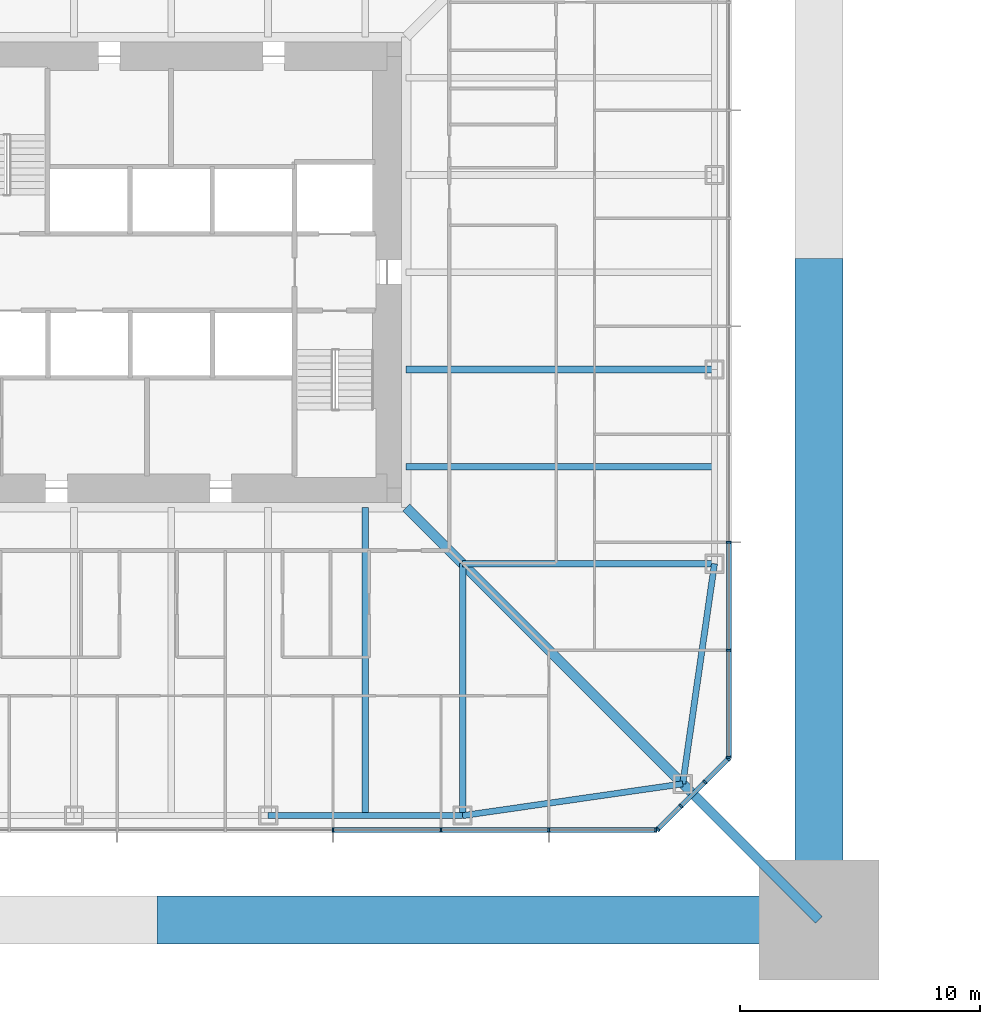
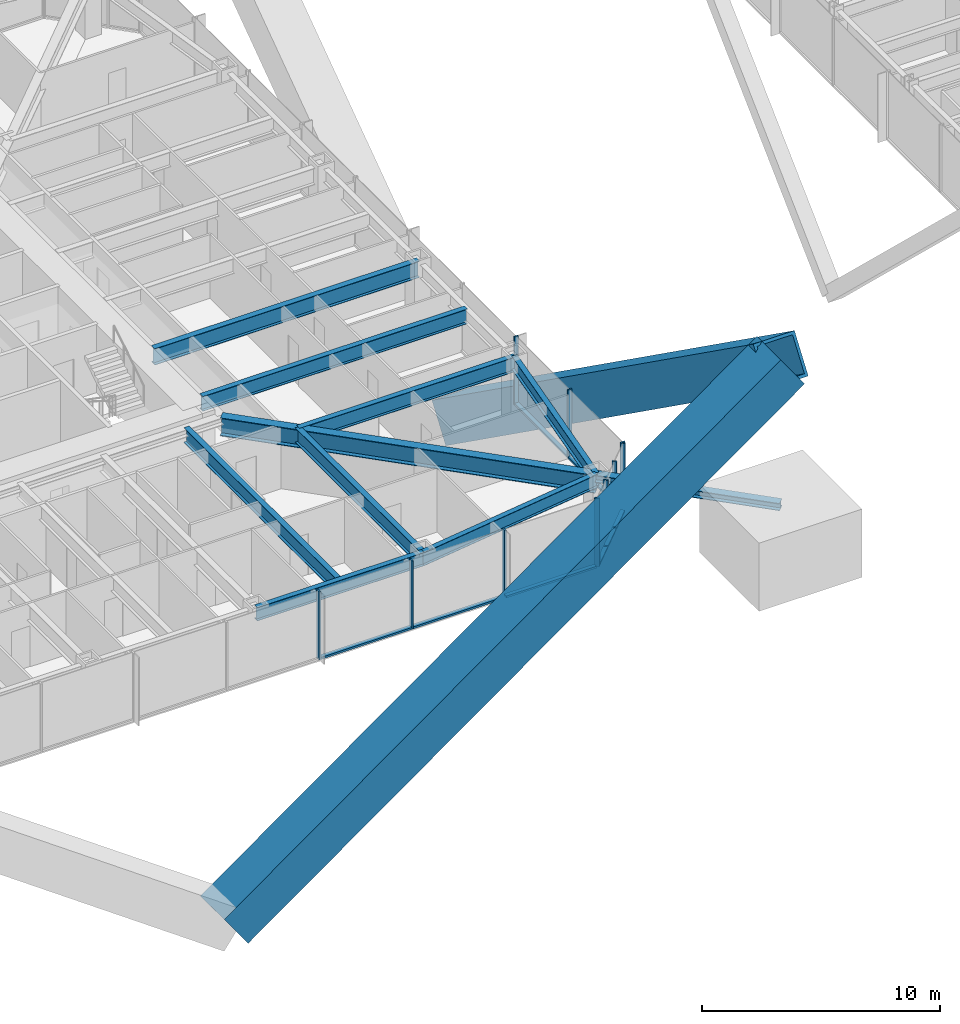
# One storey, part 5 of 28: 22 members, 9 beams, 3 elements without a shape of their own.
"""IFC4 building model written with IfcOpenShell, lengths in metres."""

import ifcopenshell
import ifcopenshell.guid

model = None  # the IFC model being written
_history = None  # IfcOwnerHistory: only IFC2X3 demands one
_inside = {}  # id of a spatial element -> (the spatial element, [elements in it])
_under = {}  # id of a project, library or spatial element -> (it, [spatial elements below it])
_declared = {}  # id of a project -> (the project, [libraries it declares])
_typed = {}  # id of a type object -> (the type object, [elements of that type])
_made_of = {}  # id of a material, layer set ... -> (it, [elements and type objects made of it])


def new_model(schema):
    """Start an empty IFC model of exactly this schema.

    Asked for "IFC4X3", IfcOpenShell would pick the latest addendum, in which some entities
    have other attributes; the version numbers below select the first issue.
    IFC2X3 requires an IfcOwnerHistory on every rooted entity: one is made here for all.
    """
    global model, _history
    if schema == "IFC4X3":
        model = ifcopenshell.file(schema_version=(4, 3, 0, 0))
    else:
        model = ifcopenshell.file(schema=schema)
    _inside.clear()
    _under.clear()
    _declared.clear()
    _typed.clear()
    _made_of.clear()
    _history = None
    if model.schema == "IFC2X3":
        org = make("IfcOrganization", Name="unknown")
        user = make(
            "IfcPersonAndOrganization",
            ThePerson=make("IfcPerson", FamilyName="unknown"),
            TheOrganization=org,
        )
        app = make(
            "IfcApplication",
            ApplicationDeveloper=org,
            Version="unknown",
            ApplicationFullName="unknown",
            ApplicationIdentifier="unknown",
        )
        _history = make(
            "IfcOwnerHistory",
            OwningUser=user,
            OwningApplication=app,
            ChangeAction="ADDED",
            CreationDate=0,
        )
    return model


def make(cls, **values):
    """One entity of the class cls with the attributes given. An attribute that is None is left unset."""
    return model.create_entity(
        cls, **{name: value for name, value in values.items() if value is not None}
    )


def rooted(cls, **values):
    """An entity with a GlobalId (a new one), such as an element, a storey or a relation."""
    return make(cls, GlobalId=ifcopenshell.guid.new(), OwnerHistory=_history, **values)


def si_unit(unit_type, name, prefix=None):
    """IfcSIUnit, for example si_unit("LENGTHUNIT", "METRE", prefix="MILLI")."""
    return make("IfcSIUnit", UnitType=unit_type, Prefix=prefix, Name=name)


def assignment(units):
    """IfcUnitAssignment: the units of a project."""
    return None if units is None else make("IfcUnitAssignment", Units=units)


def point(xyz):
    """IfcCartesianPoint."""
    return None if xyz is None else make("IfcCartesianPoint", Coordinates=xyz)


def direction(xyz):
    """IfcDirection."""
    return None if xyz is None else make("IfcDirection", DirectionRatios=xyz)


def frame(location, z_axis=None, x_axis=None):
    """IfcAxis2Placement3D, a coordinate frame: its origin and axes. An axis left out is left unset."""
    return make(
        "IfcAxis2Placement3D",
        Location=point(location),
        Axis=direction(z_axis),
        RefDirection=direction(x_axis),
    )


def frame_2d(location, x_axis=None):
    """IfcAxis2Placement2D, a coordinate frame in the plane: its origin and x axis."""
    return make(
        "IfcAxis2Placement2D", Location=point(location), RefDirection=direction(x_axis)
    )


def origin():
    """The frame at (0, 0, 0) with its axes left unset."""
    return frame((0.0, 0.0, 0.0))


def origin_2d():
    """The frame at (0, 0) in the plane with its x axis left unset."""
    return frame_2d((0.0, 0.0))


def place(relative_to, where):
    """IfcLocalPlacement: puts the frame where relative to a parent placement (None: the world)."""
    return make(
        "IfcLocalPlacement", PlacementRelTo=relative_to, RelativePlacement=where
    )


def context(
    kind, dimensions, precision=None, world=None, true_north=None, identifier=None
):
    """IfcGeometricRepresentationContext, for example the 3D "Model" context."""
    return make(
        "IfcGeometricRepresentationContext",
        ContextIdentifier=identifier,
        ContextType=kind,
        CoordinateSpaceDimension=dimensions,
        Precision=precision,
        WorldCoordinateSystem=world,
        TrueNorth=true_north,
    )


def subcontext(parent, identifier, kind, view, scale=None):
    """IfcGeometricRepresentationSubContext, for example "Body" below "Model"."""
    return make(
        "IfcGeometricRepresentationSubContext",
        ContextIdentifier=identifier,
        ContextType=kind,
        ParentContext=parent,
        TargetScale=scale,
        TargetView=view,
    )


def project(units=None, contexts=None):
    """IfcProject with its units and contexts."""
    return rooted(
        "IfcProject",
        Name="project",
        RepresentationContexts=contexts,
        UnitsInContext=assignment(units),
    )


def spatial(cls, under=None, at=None, **own):
    """A site, building, storey or space (cls), placed at a placement, below another one or the project."""
    s = rooted(cls, ObjectPlacement=at, **own)
    if under is not None:
        _under.setdefault(under.id(), (under, []))[1].append(s)
    return s


def profile(cls, at=None, kind="AREA", **sizes):
    """A parametric profile (cls). Its sizes go by their IFC names, for example OverallWidth=200.0."""
    return make(cls, ProfileType=kind, Position=at, **sizes)


def rectangle(**sizes):
    """IfcRectangleProfileDef."""
    return profile("IfcRectangleProfileDef", **sizes)


def hollow_rectangle(**sizes):
    """IfcRectangleHollowProfileDef."""
    return profile("IfcRectangleHollowProfileDef", **sizes)


def i_section(**sizes):
    """IfcIShapeProfileDef."""
    return profile("IfcIShapeProfileDef", **sizes)


def extrude(swept, where, along, depth):
    """IfcExtrudedAreaSolid: the profile swept, set in the frame where, extruded along a direction by depth."""
    return make(
        "IfcExtrudedAreaSolid",
        SweptArea=swept,
        Position=where,
        ExtrudedDirection=direction(along),
        Depth=depth,
    )


def shape(context_of_items, identifier, shape_type, items):
    """IfcShapeRepresentation: the items that make up one representation, for example the "Body"."""
    return make(
        "IfcShapeRepresentation",
        ContextOfItems=context_of_items,
        RepresentationIdentifier=identifier,
        RepresentationType=shape_type,
        Items=items,
    )


def material(Name=None, Category=None):
    """IfcMaterial."""
    return make("IfcMaterial", Name=Name, Category=Category)


def material_profile(
    of_material, cross_section, Name=None, Category=None, Priority=None
):
    """IfcMaterialProfile: a cross section and its material."""
    return make(
        "IfcMaterialProfile",
        Name=Name,
        Material=of_material,
        Profile=cross_section,
        Priority=Priority,
        Category=Category,
    )


def profile_set(profiles, Name=None, composite=None):
    """IfcMaterialProfileSet."""
    return make(
        "IfcMaterialProfileSet",
        Name=Name,
        MaterialProfiles=profiles,
        CompositeProfile=composite,
    )


def made_of(thing, what):
    """Note that an element or type object is made of a material, layer set ...; save() writes the relation."""
    if what is not None:
        _made_of.setdefault(what.id(), (what, []))[1].append(thing)
    return thing


def type_object(cls, material=None, **own):
    """A type object (cls), such as IfcWallType, which elements share."""
    return made_of(rooted(cls, **own), material)


def element(
    cls,
    number,
    at=None,
    inside=None,
    cuts=None,
    type_object=None,
    material=None,
    context=None,
    identifier="Body",
    shape_type=None,
    held_by="IfcProductDefinitionShape",
    body=None,
    shapes=None,
    **own,
):
    """One element of the class cls, such as IfcWall. Its Tag is "e" and its number.

    at: its placement. inside: the storey or other place that contains it. cuts: it is an
    opening in that element (IfcRelVoidsElement). A single representation is given by context,
    identifier, shape_type and body (its items); several are given by shapes. held_by: the class
    of the entity that holds the representations. save() writes the other relations.
    """
    e = rooted(cls, Tag="e%d" % number, ObjectPlacement=at, **own)
    if body is not None:
        shapes = [shape(context, identifier, shape_type, body)]
    if shapes is not None:
        e.Representation = make(held_by, Representations=shapes)
    if inside is not None:
        _inside.setdefault(inside.id(), (inside, []))[1].append(e)
    if cuts is not None:
        rooted(
            "IfcRelVoidsElement", RelatingBuildingElement=cuts, RelatedOpeningElement=e
        )
    if type_object is not None:
        _typed.setdefault(type_object.id(), (type_object, []))[1].append(e)
    return made_of(e, material)


def aggregate(whole, parts):
    """IfcRelAggregates: a whole, such as a stair, and the parts it consists of."""
    return rooted("IfcRelAggregates", RelatingObject=whole, RelatedObjects=parts)


def save(model, path):
    """Write the relations noted so far, then the file.

    IfcRelAggregates (storeys below a building ...), IfcRelContainedInSpatialStructure (elements
    in a storey), IfcRelDefinesByType, IfcRelAssociatesMaterial and IfcRelDeclares: one each for
    every whole, place, type object, material and project.
    """
    for whole, parts in _under.values():
        aggregate(whole, parts)
    for where, things in _inside.values():
        rooted(
            "IfcRelContainedInSpatialStructure",
            RelatedElements=things,
            RelatingStructure=where,
        )
    for kind, things in _typed.values():
        rooted("IfcRelDefinesByType", RelatedObjects=things, RelatingType=kind)
    for what, things in _made_of.values():
        rooted("IfcRelAssociatesMaterial", RelatedObjects=things, RelatingMaterial=what)
    for by, libraries in _declared.values():
        rooted("IfcRelDeclares", RelatingContext=by, RelatedDefinitions=libraries)
    model.write(path)


model = new_model("IFC4")

# Units and contexts
model_context = context("Model", 3, precision=1e-05, world=origin(), true_north=direction((0.0, 1.0)))
body_context = subcontext(model_context, "Body", "Model", "MODEL_VIEW")
ifc_project = project(units=[si_unit("LENGTHUNIT", "METRE"), si_unit("AREAUNIT", "SQUARE_METRE"), si_unit("VOLUMEUNIT", "CUBIC_METRE"), si_unit("PLANEANGLEUNIT", "RADIAN"), si_unit("MASSUNIT", "GRAM", prefix="KILO")], contexts=[model_context])

# Site, building, storey
site_placement = place(None, origin())
site = spatial("IfcSite", under=ifc_project, at=site_placement, CompositionType="ELEMENT")
building_placement = place(site_placement, origin())
building = spatial("IfcBuilding", under=site, at=building_placement, Name="Iwan Alto Co-Living Towers", CompositionType="ELEMENT")
storey_placement = place(building_placement, frame((0.0, 0.0, 64.0)))
storey = spatial("IfcBuildingStorey", under=building, at=storey_placement, Name="L17", CompositionType="ELEMENT", Elevation=64.0)

# Curtain wall, members
ifc_material_1 = material(Name="Bronze aluminium unitised frame", Category="aluminium")
curtain_wall_type_1 = type_object("IfcCurtainWallType", Name="CURTAIN WALL CW-A", PredefinedType="NOTDEFINED", material=ifc_material_1)
curtain_wall_1_placement = place(storey_placement, origin())
curtain_wall_1 = element("IfcCurtainWall", 1, at=curtain_wall_1_placement, inside=storey, type_object=curtain_wall_type_1, Name="T1 curtain wall S L17", PredefinedType="NOTDEFINED")
ifc_material_2 = material(Name="Aluminium 6063-T6 bronze anodised", Category="aluminium")
ifc_material_profile_1 = material_profile(ifc_material_2, rectangle(XDim=0.199951171875, YDim=0.080078125, at=origin_2d()), Name="AL 80X200")
ifc_profile_set_1 = profile_set([ifc_material_profile_1], Name="Aluminium 6063-T6 bronze anodised")
member_type_1 = type_object("IfcMemberType", Name="CW-A MULLION 80X200", PredefinedType="MULLION", material=ifc_profile_set_1)
member_1_placement = place(storey_placement, frame((6.75, -23.25, 0.0), z_axis=(0.0, 0.0, 1.0), x_axis=(0.0, 1.0, 0.0)))
member_1 = element("IfcMember", 2, at=member_1_placement, type_object=member_type_1, Name="CW-A mullion 7", PredefinedType="MULLION", context=body_context, shape_type="SweptSolid", body=[
    extrude(rectangle(XDim=0.199951171875, YDim=0.080078125, at=origin_2d()), origin(), (0.0, 0.0, 1.0), 3.5),
])
member_2_placement = place(storey_placement, frame((11.25, -23.25, 0.0), z_axis=(0.0, 0.0, 1.0), x_axis=(0.0, 1.0, 0.0)))
member_2 = element("IfcMember", 3, at=member_2_placement, type_object=member_type_1, Name="CW-A mullion 8", PredefinedType="MULLION", context=body_context, shape_type="SweptSolid", body=[
    extrude(rectangle(XDim=0.199951171875, YDim=0.080078125, at=origin_2d()), origin(), (0.0, 0.0, 1.0), 3.5),
])
member_3_placement = place(storey_placement, frame((15.75, -23.25, 0.0), z_axis=(0.0, 0.0, 1.0), x_axis=(0.0, 1.0, 0.0)))
member_3 = element("IfcMember", 4, at=member_3_placement, type_object=member_type_1, Name="CW-A mullion 9", PredefinedType="MULLION", context=body_context, shape_type="SweptSolid", body=[
    extrude(rectangle(XDim=0.199951171875, YDim=0.080078125, at=origin_2d()), origin(), (0.0, 0.0, 1.0), 3.5),
])
member_4_placement = place(storey_placement, frame((20.2099609375, -23.25, 0.0), z_axis=(0.0, 0.0, 1.0), x_axis=(0.0, 1.0, 0.0)))
member_4 = element("IfcMember", 5, at=member_4_placement, type_object=member_type_1, Name="CW-A mullion 10", PredefinedType="MULLION", context=body_context, shape_type="SweptSolid", body=[
    extrude(rectangle(XDim=0.199951171875, YDim=0.080078125, at=origin_2d()), origin(), (0.0, 0.0, 1.0), 3.5),
])

curtain_wall_2_placement = place(storey_placement, origin())
curtain_wall_2 = element("IfcCurtainWall", 6, at=curtain_wall_2_placement, inside=storey, type_object=curtain_wall_type_1, Name="T1 curtain wall E L17", PredefinedType="NOTDEFINED")
member_5_placement = place(storey_placement, frame((23.25, -20.2099609375, 0.0), z_axis=(0.0, 0.0, 1.0), x_axis=(-1.0, 0.0, 0.0)))
member_5 = element("IfcMember", 7, at=member_5_placement, type_object=member_type_1, Name="CW-A mullion 1", PredefinedType="MULLION", context=body_context, shape_type="SweptSolid", body=[
    extrude(rectangle(XDim=0.199951171875, YDim=0.080078125, at=origin_2d()), origin(), (0.0, 0.0, 1.0), 3.5),
])
member_6_placement = place(storey_placement, frame((23.25, -15.75, 0.0), z_axis=(0.0, 0.0, 1.0), x_axis=(-1.0, 0.0, 0.0)))
member_6 = element("IfcMember", 8, at=member_6_placement, type_object=member_type_1, Name="CW-A mullion 2", PredefinedType="MULLION", context=body_context, shape_type="SweptSolid", body=[
    extrude(rectangle(XDim=0.199951171875, YDim=0.080078125, at=origin_2d()), origin(), (0.0, 0.0, 1.0), 3.5),
])
member_7_placement = place(storey_placement, frame((23.25, -11.25, 0.0), z_axis=(0.0, 0.0, 1.0), x_axis=(-1.0, 0.0, 0.0)))
member_7 = element("IfcMember", 9, at=member_7_placement, type_object=member_type_1, Name="CW-A mullion 3", PredefinedType="MULLION", context=body_context, shape_type="SweptSolid", body=[
    extrude(rectangle(XDim=0.199951171875, YDim=0.080078125, at=origin_2d()), origin(), (0.0, 0.0, 1.0), 3.5),
])

# Member
ifc_material_3 = material(Name="Aluminium 6063-T6 bronze anodised", Category="aluminium")
ifc_material_profile_2 = material_profile(ifc_material_3, rectangle(XDim=0.199951171875, YDim=0.10009765625, at=origin_2d()), Name="AL 200X100")
ifc_profile_set_2 = profile_set([ifc_material_profile_2], Name="Aluminium 6063-T6 bronze anodised")
member_type_2 = type_object("IfcMemberType", Name="CW-A TRANSOM 200X100", PredefinedType="USERDEFINED", material=ifc_profile_set_2)
member_8_placement = place(storey_placement, frame((6.7900390625, -23.25, 0.050048828125), z_axis=(1.0, 0.0, 0.0), x_axis=(0.0, 1.0, 0.0)))
member_8 = element("IfcMember", 10, at=member_8_placement, type_object=member_type_2, Name="CW-A transom 7.1", ObjectType="TRANSOM", PredefinedType="USERDEFINED", context=body_context, shape_type="SweptSolid", body=[
    extrude(rectangle(XDim=0.199951171875, YDim=0.10009765625, at=origin_2d()), origin(), (0.0, 0.0, 1.0), 4.419921875),
])

member_9_placement = place(storey_placement, frame((11.2900390625, -23.25, 0.050048828125), z_axis=(1.0, 0.0, 0.0), x_axis=(0.0, 1.0, 0.0)))
member_9 = element("IfcMember", 11, at=member_9_placement, type_object=member_type_2, Name="CW-A transom 8.1", ObjectType="TRANSOM", PredefinedType="USERDEFINED", context=body_context, shape_type="SweptSolid", body=[
    extrude(rectangle(XDim=0.199951171875, YDim=0.10009765625, at=origin_2d()), origin(), (0.0, 0.0, 1.0), 4.419921875),
])

member_10_placement = place(storey_placement, frame((15.7900390625, -23.25, 0.050048828125), z_axis=(1.0, 0.0, 0.0), x_axis=(0.0, 1.0, 0.0)))
member_10 = element("IfcMember", 12, at=member_10_placement, type_object=member_type_2, Name="CW-A transom 9.1", ObjectType="TRANSOM", PredefinedType="USERDEFINED", context=body_context, shape_type="SweptSolid", body=[
    extrude(rectangle(XDim=0.199951171875, YDim=0.10009765625, at=origin_2d()), origin(), (0.0, 0.0, 1.0), 4.3798828125),
])

aggregate(curtain_wall_1, [member_1, member_2, member_3, member_4, member_8, member_9, member_10])

member_11_placement = place(storey_placement, frame((23.25, -20.169921875, 0.050048828125), z_axis=(0.0, 1.0, 0.0), x_axis=(-1.0, 0.0, 0.0)))
member_11 = element("IfcMember", 13, at=member_11_placement, type_object=member_type_2, Name="CW-A transom 1.1", ObjectType="TRANSOM", PredefinedType="USERDEFINED", context=body_context, shape_type="SweptSolid", body=[
    extrude(rectangle(XDim=0.199951171875, YDim=0.10009765625, at=origin_2d()), origin(), (0.0, 0.0, 1.0), 4.3798828125),
])

member_12_placement = place(storey_placement, frame((23.25, -15.7099609375, 0.050048828125), z_axis=(0.0, 1.0, 0.0), x_axis=(-1.0, 0.0, 0.0)))
member_12 = element("IfcMember", 14, at=member_12_placement, type_object=member_type_2, Name="CW-A transom 2.1", ObjectType="TRANSOM", PredefinedType="USERDEFINED", context=body_context, shape_type="SweptSolid", body=[
    extrude(rectangle(XDim=0.199951171875, YDim=0.10009765625, at=origin_2d()), origin(), (0.0, 0.0, 1.0), 4.419921875),
])

aggregate(curtain_wall_2, [member_5, member_6, member_7, member_11, member_12])

# Curtain wall, members
ifc_material_4 = material(Name="Bronze aluminium unitised frame", Category="aluminium")
curtain_wall_type_2 = type_object("IfcCurtainWallType", Name="CURTAIN WALL CW-B", PredefinedType="NOTDEFINED", material=ifc_material_4)
curtain_wall_3_placement = place(storey_placement, origin())
curtain_wall_3 = element("IfcCurtainWall", 15, at=curtain_wall_3_placement, inside=storey, type_object=curtain_wall_type_2, Name="T1 chamfer curtain wall SE L17", PredefinedType="NOTDEFINED")
ifc_material_5 = material(Name="Aluminium 6063-T6 bronze anodised", Category="aluminium")
ifc_material_profile_3 = material_profile(ifc_material_5, rectangle(XDim=0.199951171875, YDim=0.080078125, at=origin_2d()), Name="AL 80X200")
ifc_profile_set_3 = profile_set([ifc_material_profile_3], Name="Aluminium 6063-T6 bronze anodised")
member_type_3 = type_object("IfcMemberType", Name="CW-B MULLION 80X200", PredefinedType="MULLION", material=ifc_profile_set_3)
member_13_placement = place(storey_placement, frame((20.2783203125, -23.2216796875, 0.0), z_axis=(0.0, 0.0, 1.0), x_axis=(-0.707106781187, 0.707106781187, 0.0)))
member_13 = element("IfcMember", 16, at=member_13_placement, type_object=member_type_3, Name="CW-B mullion 1", PredefinedType="MULLION", context=body_context, shape_type="SweptSolid", body=[
    extrude(rectangle(XDim=0.199951171875, YDim=0.080078125, at=origin_2d()), origin(), (0.0, 0.0, 1.0), 3.5),
])
member_14_placement = place(storey_placement, frame((21.25, -22.25, 0.0), z_axis=(0.0, 0.0, 1.0), x_axis=(-0.707106781187, 0.707106781187, 0.0)))
member_14 = element("IfcMember", 17, at=member_14_placement, type_object=member_type_3, Name="CW-B mullion 2", PredefinedType="MULLION", context=body_context, shape_type="SweptSolid", body=[
    extrude(rectangle(XDim=0.199951171875, YDim=0.080078125, at=origin_2d()), origin(), (0.0, 0.0, 1.0), 3.5),
])
member_15_placement = place(storey_placement, frame((22.25, -21.25, 0.0), z_axis=(0.0, 0.0, 1.0), x_axis=(-0.707106781187, 0.707106781187, 0.0)))
member_15 = element("IfcMember", 18, at=member_15_placement, type_object=member_type_3, Name="CW-B mullion 3", PredefinedType="MULLION", context=body_context, shape_type="SweptSolid", body=[
    extrude(rectangle(XDim=0.199951171875, YDim=0.080078125, at=origin_2d()), origin(), (0.0, 0.0, 1.0), 3.5),
])
member_16_placement = place(storey_placement, frame((23.2216796875, -20.2783203125, 0.0), z_axis=(0.0, 0.0, 1.0), x_axis=(-0.707106781187, 0.707106781187, 0.0)))
member_16 = element("IfcMember", 19, at=member_16_placement, type_object=member_type_3, Name="CW-B mullion 4", PredefinedType="MULLION", context=body_context, shape_type="SweptSolid", body=[
    extrude(rectangle(XDim=0.199951171875, YDim=0.080078125, at=origin_2d()), origin(), (0.0, 0.0, 1.0), 3.5),
])
ifc_material_6 = material(Name="Aluminium 6063-T6 bronze anodised", Category="aluminium")
ifc_material_profile_4 = material_profile(ifc_material_6, rectangle(XDim=0.199951171875, YDim=0.10009765625, at=origin_2d()), Name="AL 200X100")
ifc_profile_set_4 = profile_set([ifc_material_profile_4], Name="Aluminium 6063-T6 bronze anodised")
member_type_4 = type_object("IfcMemberType", Name="CW-B TRANSOM 200X100", PredefinedType="USERDEFINED", material=ifc_profile_set_4)
member_17_placement = place(storey_placement, frame((20.306640625, -23.193359375, 0.050048828125), z_axis=(0.707106781187, 0.707106781187, 0.0), x_axis=(-0.707106781187, 0.707106781187, 0.0)))
member_17 = element("IfcMember", 20, at=member_17_placement, type_object=member_type_4, Name="CW-B transom 1.1", ObjectType="TRANSOM", PredefinedType="USERDEFINED", context=body_context, shape_type="SweptSolid", body=[
    extrude(rectangle(XDim=0.199951171875, YDim=0.10009765625, at=origin_2d()), origin(), (0.0, 0.0, 1.0), 1.2939453125),
])
member_18_placement = place(storey_placement, frame((21.2783203125, -22.2216796875, 0.050048828125), z_axis=(0.707106781187, 0.707106781187, 0.0), x_axis=(-0.707106781187, 0.707106781187, 0.0)))
member_18 = element("IfcMember", 21, at=member_18_placement, type_object=member_type_4, Name="CW-B transom 2.1", ObjectType="TRANSOM", PredefinedType="USERDEFINED", context=body_context, shape_type="SweptSolid", body=[
    extrude(rectangle(XDim=0.199951171875, YDim=0.10009765625, at=origin_2d()), origin(), (0.0, 0.0, 1.0), 1.334228515625),
])
member_19_placement = place(storey_placement, frame((22.2783203125, -21.2216796875, 0.050048828125), z_axis=(0.707106781187, 0.707106781187, 0.0), x_axis=(-0.707106781187, 0.707106781187, 0.0)))
member_19 = element("IfcMember", 22, at=member_19_placement, type_object=member_type_4, Name="CW-B transom 3.1", ObjectType="TRANSOM", PredefinedType="USERDEFINED", context=body_context, shape_type="SweptSolid", body=[
    extrude(rectangle(XDim=0.199951171875, YDim=0.10009765625, at=origin_2d()), origin(), (0.0, 0.0, 1.0), 1.2939453125),
])
aggregate(curtain_wall_3, [member_13, member_14, member_15, member_16, member_17, member_18, member_19])

# Beams
ifc_material_7 = material(Name="Steel ASTM A992 Gr 50", Category="steel")
ifc_material_profile_5 = material_profile(ifc_material_7, i_section(OverallWidth=0.419189453125, OverallDepth=0.927001953125, WebThickness=0.019287109375, FlangeThickness=0.031982421875, at=origin_2d()), Name="W36X231")
ifc_profile_set_5 = profile_set([ifc_material_profile_5], Name="Steel ASTM A992 Gr 50")
beam_type_1 = type_object("IfcBeamType", Name="T1 CORNER GIRDER W36X231", PredefinedType="BEAM", material=ifc_profile_set_5)
beam_1_placement = place(storey_placement, frame((21.32568359375, -21.32568359375, 2.806396484375), z_axis=(-0.707106781187, 0.707106781187, 0.0), x_axis=(-0.707106781187, -0.707106781187, 0.0)))
element("IfcBeam", 23, at=beam_1_placement, inside=storey, type_object=beam_type_1, Name="T1 corner girder CSE L18", PredefinedType="BEAM", context=body_context, shape_type="SweptSolid", body=[
    extrude(i_section(OverallWidth=0.419189453125, OverallDepth=0.927001953125, WebThickness=0.019287109375, FlangeThickness=0.031982421875, at=origin_2d()), origin(), (0.0, 0.0, 1.0), 16.30078125),
])
ifc_material_8 = material(Name="Steel ASTM A992 Gr 50", Category="steel")
ifc_material_profile_6 = material_profile(ifc_material_8, i_section(OverallWidth=0.25390625, OverallDepth=0.683349609375, WebThickness=0.012451171875, FlangeThickness=0.018798828125, at=origin_2d()), Name="W27X94")
ifc_profile_set_6 = profile_set([ifc_material_profile_6], Name="Steel ASTM A992 Gr 50")
beam_type_2 = type_object("IfcBeamType", Name="T1 EDGE BEAM W27X94", PredefinedType="BEAM", material=ifc_profile_set_6)
beam_2_placement = place(storey_placement, frame((4.050048828125, -22.64990234375, 2.928466796875), z_axis=(1.0, 0.0, 0.0), x_axis=(0.0, 1.0, 0.0)))
element("IfcBeam", 24, at=beam_2_placement, inside=storey, type_object=beam_type_2, Name="T1 edge beam S3 L18", PredefinedType="BEAM", context=body_context, shape_type="SweptSolid", body=[
    extrude(i_section(OverallWidth=0.25390625, OverallDepth=0.683349609375, WebThickness=0.012451171875, FlangeThickness=0.018798828125, at=origin_2d()), origin(), (0.0, 0.0, 1.0), 8.099853515625),
])
for number, where, z_axis, x_axis, name in (
    (25, (12.14990234375, -22.64990234375, 2.928466796875), (0.989746234347, 0.142836940589, 0.0), (-0.142836940589, 0.989746234347, 0.0), "T1 edge beam S4 L18"),
    (26, (21.32568359375, -21.32568359375, 2.928466796875), (0.142836940589, 0.989746234347, 0.0), (-0.989746234347, 0.142836940589, 0.0), "T1 edge beam CSE L18"),
):
    element("IfcBeam", number, at=place(storey_placement, frame(where, z_axis=z_axis, x_axis=x_axis)), inside=storey, type_object=beam_type_2, Name=name, PredefinedType="BEAM", context=body_context, shape_type="SweptSolid", body=[
        extrude(i_section(OverallWidth=0.25390625, OverallDepth=0.683349609375, WebThickness=0.012451171875, FlangeThickness=0.018798828125, at=origin_2d()), origin(), (0.0, 0.0, 1.0), 9.270751953125),
    ])

# Members
ifc_material_9 = material(Name="Steel ASTM A572 Gr 42", Category="steel")
ifc_material_profile_7 = material_profile(ifc_material_9, hollow_rectangle(XDim=2.0, YDim=2.0, WallThickness=0.139892578125, at=origin_2d()), Name="BOX 2000X2000X140")
ifc_profile_set_7 = profile_set([ifc_material_profile_7], Name="Steel ASTM A572 Gr 42")
member_type_5 = type_object("IfcMemberType", Name="T1 MEGA BRACE BOX 2000X2000X140", PredefinedType="BRACE", material=ifc_profile_set_7)
for number, where, z_axis, x_axis, name in (
    (27, (0.0, -27.0, -8.75), (0.814242569702, 0.0, 0.580524795065), (0.0, 1.0, 0.0), "T1 mega brace Z1B S 1 upper"),
    (28, (27.0, 0.0, -8.75), (0.0, -0.814242569702, 0.580524795065), (1.0, 0.0, 0.0), "T1 mega brace Z1B E 2 upper"),
):
    element("IfcMember", number, at=place(storey_placement, frame(where, z_axis=z_axis, x_axis=x_axis)), inside=storey, type_object=member_type_5, Name=name, PredefinedType="BRACE", context=body_context, shape_type="SweptSolid", body=[
        extrude(hollow_rectangle(XDim=2.0, YDim=2.0, WallThickness=0.139892578125, at=origin_2d()), origin(), (0.0, 0.0, 1.0), 33.15966796875),
    ])
ifc_material_10 = material(Name="Steel ASTM A992 Gr 50", Category="steel")
ifc_material_profile_8 = material_profile(ifc_material_10, i_section(OverallWidth=0.393798828125, OverallDepth=0.3759765625, WebThickness=0.017333984375, FlangeThickness=0.027587890625, at=origin_2d()), Name="W14X145")
ifc_profile_set_8 = profile_set([ifc_material_profile_8], Name="Steel ASTM A992 Gr 50")
member_type_6 = type_object("IfcMemberType", Name="T1 MEGA COLUMN FLOOR TIE W14X145", PredefinedType="STRUT", material=ifc_profile_set_8)
member_20_placement = place(storey_placement, frame((27.0, -27.0, 3.08203125), z_axis=(-0.707106781187, 0.707106781187, 0.0), x_axis=(-0.707106781187, -0.707106781187, 0.0)))
element("IfcMember", 29, at=member_20_placement, inside=storey, type_object=member_type_6, Name="T1 mega column floor tie SE L18", PredefinedType="STRUT", context=body_context, shape_type="SweptSolid", body=[
    extrude(i_section(OverallWidth=0.393798828125, OverallDepth=0.3759765625, WebThickness=0.017333984375, FlangeThickness=0.027587890625, at=origin_2d()), origin(), (0.0, 0.0, 1.0), 8.024658203125),
])

# Beams
ifc_material_11 = material(Name="Steel ASTM A992 Gr 50", Category="steel")
ifc_material_profile_9 = material_profile(ifc_material_11, i_section(OverallWidth=0.2666015625, OverallDepth=0.761962890625, WebThickness=0.014404296875, FlangeThickness=0.021484375, at=origin_2d()), Name="W30X116")
ifc_profile_set_9 = profile_set([ifc_material_profile_9], Name="Steel ASTM A992 Gr 50")
beam_type_3 = type_object("IfcBeamType", Name="T1 RADIAL BEAM W30X116", PredefinedType="BEAM", material=ifc_profile_set_9)
for number, where, z_axis, x_axis, name in (
    (30, (12.14990234375, -22.64990234375, 2.888916015625), (0.0, 1.0, 0.0), (-1.0, 0.0, 0.0), "T1 radial beam S4 L18"),
    (31, (22.64990234375, -12.14990234375, 2.888916015625), (-1.0, 0.0, 0.0), (0.0, -1.0, 0.0), "T1 radial beam E1 L18"),
):
    element("IfcBeam", number, at=place(storey_placement, frame(where, z_axis=z_axis, x_axis=x_axis)), inside=storey, type_object=beam_type_3, Name=name, PredefinedType="BEAM", context=body_context, shape_type="SweptSolid", body=[
        extrude(i_section(OverallWidth=0.2666015625, OverallDepth=0.761962890625, WebThickness=0.014404296875, FlangeThickness=0.021484375, at=origin_2d()), origin(), (0.0, 0.0, 1.0), 10.5),
    ])
ifc_material_12 = material(Name="Steel ASTM A992 Gr 50", Category="steel")
ifc_material_profile_10 = material_profile(ifc_material_12, i_section(OverallWidth=0.2919921875, OverallDepth=0.8408203125, WebThickness=0.0146484375, FlangeThickness=0.021728515625, at=origin_2d()), Name="W33X130")
ifc_profile_set_10 = profile_set([ifc_material_profile_10], Name="Steel ASTM A992 Gr 50")
beam_type_4 = type_object("IfcBeamType", Name="T1 RADIAL BEAM W33X130", PredefinedType="BEAM", material=ifc_profile_set_10)
beam_3_placement = place(storey_placement, frame((22.64990234375, -4.050048828125, 2.849609375), z_axis=(-1.0, 0.0, 0.0), x_axis=(0.0, -1.0, 0.0)))
element("IfcBeam", 32, at=beam_3_placement, inside=storey, type_object=beam_type_4, Name="T1 radial beam E2 L18", PredefinedType="BEAM", context=body_context, shape_type="SweptSolid", body=[
    extrude(i_section(OverallWidth=0.2919921875, OverallDepth=0.8408203125, WebThickness=0.0146484375, FlangeThickness=0.021728515625, at=origin_2d()), origin(), (0.0, 0.0, 1.0), 12.8505859375),
])
ifc_material_13 = material(Name="Steel ASTM A992 Gr 50", Category="steel")
ifc_material_profile_11 = material_profile(ifc_material_13, i_section(OverallWidth=0.2666015625, OverallDepth=0.761962890625, WebThickness=0.014404296875, FlangeThickness=0.021484375, at=origin_2d()), Name="W30X116")
ifc_profile_set_11 = profile_set([ifc_material_profile_11], Name="Steel ASTM A992 Gr 50")
beam_type_5 = type_object("IfcBeamType", Name="T1 SECONDARY BEAM W30X116", PredefinedType="JOIST", material=ifc_profile_set_11)
for number, where, z_axis, x_axis, name in (
    (33, (8.10009765625, -22.64990234375, 2.888916015625), (0.0, 1.0, 0.0), (-1.0, 0.0, 0.0), "T1 secondary beam S3 L18"),
    (34, (22.64990234375, -8.10009765625, 2.888916015625), (-1.0, 0.0, 0.0), (0.0, -1.0, 0.0), "T1 secondary beam E1 L18"),
):
    element("IfcBeam", number, at=place(storey_placement, frame(where, z_axis=z_axis, x_axis=x_axis)), inside=storey, type_object=beam_type_5, Name=name, PredefinedType="JOIST", context=body_context, shape_type="SweptSolid", body=[
        extrude(i_section(OverallWidth=0.2666015625, OverallDepth=0.761962890625, WebThickness=0.014404296875, FlangeThickness=0.021484375, at=origin_2d()), origin(), (0.0, 0.0, 1.0), 12.8505859375),
    ])

save(model, "model.ifc")
